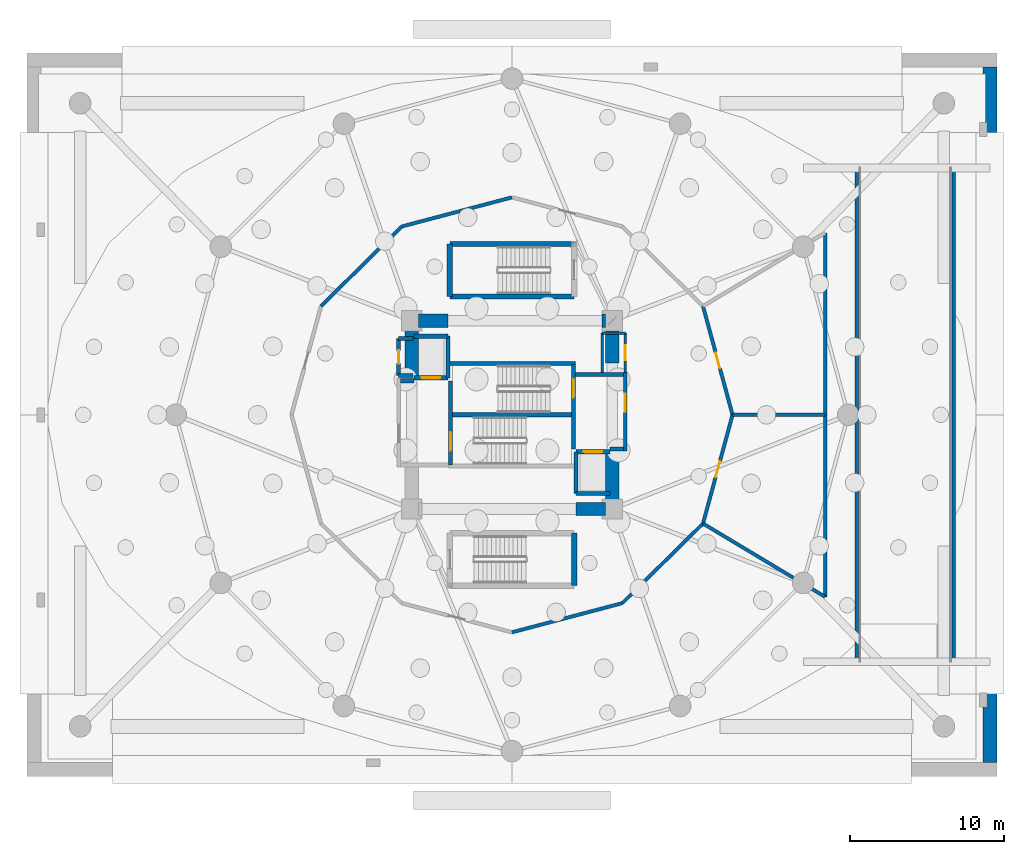
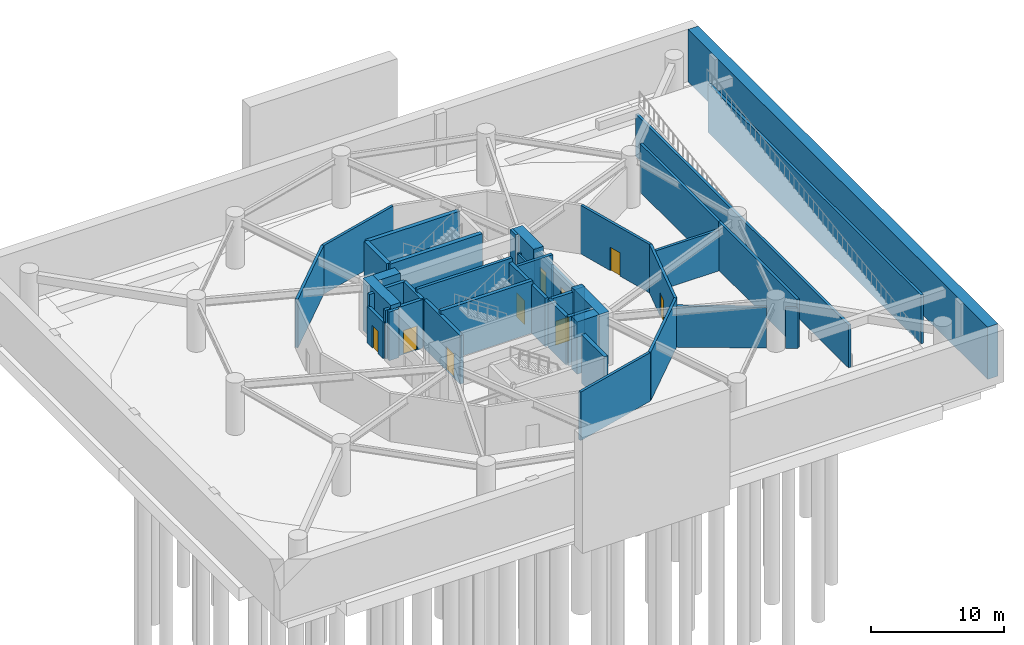
# One storey, part 8 of 12: 44 walls, 9 doors, 9 openings.
"""IFC4 building model written with IfcOpenShell, lengths in metres."""

from ifc_helpers import new_model, si_unit, direction, frame, frame_2d, origin, place, context, subcontext, project, spatial, rectangle, extrude, material, layer, layer_set, type_object, element, fill, save


model = new_model("IFC4")

# Units and contexts
model_context = context("Model", 3, precision=1e-05, world=origin(), true_north=direction((0.0, 1.0)))
body_context = subcontext(model_context, "Body", "Model", "MODEL_VIEW")
ifc_project = project(units=[si_unit("LENGTHUNIT", "METRE"), si_unit("AREAUNIT", "SQUARE_METRE"), si_unit("VOLUMEUNIT", "CUBIC_METRE"), si_unit("PLANEANGLEUNIT", "RADIAN"), si_unit("MASSUNIT", "GRAM", prefix="KILO")], contexts=[model_context])

# Site, building, storey
site_placement = place(None, origin())
site = spatial("IfcSite", under=ifc_project, at=site_placement, CompositionType="ELEMENT")
building_placement = place(site_placement, origin())
building = spatial("IfcBuilding", under=site, at=building_placement, Name="Solvirekh Grand Hotel", CompositionType="ELEMENT")
storey_placement = place(building_placement, frame((0.0, 0.0, -9.60009765625)))
storey = spatial("IfcBuildingStorey", under=building, at=storey_placement, Name="B02", CompositionType="ELEMENT", Elevation=-9.60009765625)

# Walls
ifc_material_1 = material(Name="Concrete C50/60", Category="concrete")
ifc_layer_1 = layer(ifc_material_1, 0.35009765625)
ifc_layer_set_1 = layer_set([ifc_layer_1], Name="Concrete C50/60")
wall_type_1 = type_object("IfcWallType", Name="CoreDivWall_RC350", PredefinedType="SOLIDWALL", material=ifc_layer_set_1)
wall_1_placement = place(storey_placement, frame((-4.1298828125, 3.324951171875, 0.0), z_axis=(0.0, 0.0, 1.0), x_axis=(1.0, 0.0, 0.0)))
element("IfcWall", 1, at=wall_1_placement, inside=storey, type_object=wall_type_1, Name="B02 core stair box wall ST-N", PredefinedType="SOLIDWALL", context=body_context, shape_type="SweptSolid", body=[
    extrude(rectangle(XDim=8.259765625, YDim=0.25, at=frame_2d((4.1298828125, 0.0))), origin(), (0.0, 0.0, 1.0), 4.800048828125),
])
wall_2_placement = place(storey_placement, frame((4.02490234375, -11.074951171875, 0.0), z_axis=(0.0, 0.0, 1.0), x_axis=(0.0, 1.0, 0.0)))
element("IfcWall", 2, at=wall_2_placement, inside=storey, type_object=wall_type_1, Name="B02 podium stair ST-3 E enclosure wall", PredefinedType="SOLIDWALL", context=body_context, shape_type="SweptSolid", body=[
    extrude(rectangle(XDim=3.39990234375, YDim=0.35009765625, at=frame_2d((1.699951171875, 0.0))), origin(), (0.0, 0.0, 1.0), 4.460205078125),
])
wall_3_placement = place(storey_placement, frame((4.02490234375, 11.074951171875, 0.0), z_axis=(0.0, 0.0, 1.0), x_axis=(-1.0, 0.0, 0.0)))
element("IfcWall", 3, at=wall_3_placement, inside=storey, type_object=wall_type_1, Name="B02 feature stair ST-4 N enclosure wall", PredefinedType="SOLIDWALL", context=body_context, shape_type="SweptSolid", body=[
    extrude(rectangle(XDim=8.0498046875, YDim=0.35009765625, at=frame_2d((4.02490234375, 0.0))), origin(), (0.0, 0.0, 1.0), 4.460205078125),
])
wall_4_placement = place(storey_placement, frame((-4.02490234375, 11.074951171875, 0.0), z_axis=(0.0, 0.0, 1.0), x_axis=(0.0, -1.0, 0.0)))
element("IfcWall", 4, at=wall_4_placement, inside=storey, type_object=wall_type_1, Name="B02 feature stair ST-4 W enclosure wall", PredefinedType="SOLIDWALL", context=body_context, shape_type="SweptSolid", body=[
    extrude(rectangle(XDim=3.39990234375, YDim=0.35009765625, at=frame_2d((1.699951171875, 0.0))), origin(), (0.0, 0.0, 1.0), 4.460205078125),
])
wall_5_placement = place(storey_placement, frame((-4.02490234375, 7.675048828125, 0.0), z_axis=(0.0, 0.0, 1.0), x_axis=(1.0, 0.0, 0.0)))
element("IfcWall", 5, at=wall_5_placement, inside=storey, type_object=wall_type_1, Name="B02 feature stair ST-4 S enclosure wall", PredefinedType="SOLIDWALL", context=body_context, shape_type="SweptSolid", body=[
    extrude(rectangle(XDim=8.0498046875, YDim=0.35009765625, at=frame_2d((4.02490234375, 0.0))), origin(), (0.0, 0.0, 1.0), 4.460205078125),
])

# Wall, opening, door
ifc_material_2 = material(Name="Concrete C40/50", Category="concrete")
ifc_layer_2 = layer(ifc_material_2, 0.280029296875)
ifc_layer_set_2 = layer_set([ifc_layer_2], Name="Concrete C40/50")
wall_type_2 = type_object("IfcWallType", Name="CoreShaftWall_RC280", PredefinedType="SOLIDWALL", material=ifc_layer_set_2)
wall_6_placement = place(storey_placement, frame((-6.35009765625, 2.39990234375, 0.0), z_axis=(0.0, 0.0, 1.0), x_axis=(1.0, 0.0, 0.0)))
wall_6 = element("IfcWall", 6, at=wall_6_placement, inside=storey, type_object=wall_type_2, Name="B02 FL-1 hoistway S wall", PredefinedType="SOLIDWALL", context=body_context, shape_type="SweptSolid", body=[
    extrude(rectangle(XDim=2.2001953125, YDim=0.280029296875, at=frame_2d((1.10009765625, 0.0))), origin(), (0.0, 0.0, 1.0), 4.460205078125),
])
opening_1_placement = place(wall_6_placement, frame((0.5, 0.0, 0.0)))
opening_1 = element("IfcOpeningElement", 7, at=opening_1_placement, cuts=wall_6, Name="Opening LD02", PredefinedType="OPENING", context=body_context, shape_type="SweptSolid", body=[
    extrude(rectangle(XDim=1.199951171875, YDim=2.199951171875, at=frame_2d((0.60009765625, 1.10009765625))), frame((0.0, 0.14990234375, 0.0), z_axis=(0.0, -1.0, 0.0), x_axis=(1.0, 0.0, 0.0)), (0.0, 0.0, 1.0), 0.300048828125),
])
ifc_material_3 = material(Name="Fire-Rated Steel Door Assembly", Category="steel")
door_type_1 = type_object("IfcDoorType", Name="Door_LiftFF_1200X2200", OperationType="SLIDING_TO_LEFT", PredefinedType="DOOR", material=ifc_material_3)
door_1_placement = place(opening_1_placement, origin())
door_1 = element("IfcDoor", 8, at=door_1_placement, inside=storey, type_object=door_type_1, Name="B02 FL-1 sliding lift landing door", OperationType="SLIDING_TO_LEFT", OverallHeight=2.199951171875, OverallWidth=1.199951171875, PredefinedType="DOOR", context=body_context, shape_type="SweptSolid", body=[
    extrude(rectangle(XDim=1.199951171875, YDim=2.199951171875, at=frame_2d((0.60009765625, 1.10009765625))), frame((0.0, 0.02490234375, 0.0), z_axis=(0.0, -1.0, 0.0), x_axis=(1.0, 0.0, 0.0)), (0.0, 0.0, 1.0), 0.050048828125),
])
fill(opening_1, door_1)

# Walls
wall_7_placement = place(storey_placement, frame((-4.14990234375, 5.10009765625, 0.0), z_axis=(0.0, 0.0, 1.0), x_axis=(-1.0, 0.0, 0.0)))
element("IfcWall", 9, at=wall_7_placement, inside=storey, type_object=wall_type_2, Name="B02 FL-1 hoistway N wall", PredefinedType="SOLIDWALL", context=body_context, shape_type="SweptSolid", body=[
    extrude(rectangle(XDim=2.2001953125, YDim=0.280029296875, at=frame_2d((1.10009765625, 0.0))), origin(), (0.0, 0.0, 1.0), 4.460205078125),
])
wall_8_placement = place(storey_placement, frame((-4.14990234375, 2.39990234375, 0.0), z_axis=(0.0, 0.0, 1.0), x_axis=(0.0, 1.0, 0.0)))
element("IfcWall", 10, at=wall_8_placement, inside=storey, type_object=wall_type_2, Name="B02 FL-1 hoistway E wall", PredefinedType="SOLIDWALL", context=body_context, shape_type="SweptSolid", body=[
    extrude(rectangle(XDim=2.7001953125, YDim=0.280029296875, at=frame_2d((1.35009765625, 0.0))), origin(), (0.0, 0.0, 1.0), 4.460205078125),
])
wall_9_placement = place(storey_placement, frame((4.14990234375, -5.10009765625, 0.0), z_axis=(0.0, 0.0, 1.0), x_axis=(1.0, 0.0, 0.0)))
element("IfcWall", 11, at=wall_9_placement, inside=storey, type_object=wall_type_2, Name="B02 FL-2 hoistway S wall", PredefinedType="SOLIDWALL", context=body_context, shape_type="SweptSolid", body=[
    extrude(rectangle(XDim=2.2001953125, YDim=0.280029296875, at=frame_2d((1.10009765625, 0.0))), origin(), (0.0, 0.0, 1.0), 4.460205078125),
])

# Wall, opening, door
wall_10_placement = place(storey_placement, frame((6.35009765625, -2.39990234375, 0.0), z_axis=(0.0, 0.0, 1.0), x_axis=(-1.0, 0.0, 0.0)))
wall_10 = element("IfcWall", 12, at=wall_10_placement, inside=storey, type_object=wall_type_2, Name="B02 FL-2 hoistway N wall", PredefinedType="SOLIDWALL", context=body_context, shape_type="SweptSolid", body=[
    extrude(rectangle(XDim=2.2001953125, YDim=0.280029296875, at=frame_2d((1.10009765625, 0.0))), origin(), (0.0, 0.0, 1.0), 4.460205078125),
])
opening_2_placement = place(wall_10_placement, frame((0.5, 0.0, 0.0)))
opening_2 = element("IfcOpeningElement", 13, at=opening_2_placement, cuts=wall_10, Name="Opening LD02", PredefinedType="OPENING", context=body_context, shape_type="SweptSolid", body=[
    extrude(rectangle(XDim=1.199951171875, YDim=2.199951171875, at=frame_2d((0.60009765625, 1.10009765625))), frame((0.0, 0.14990234375, 0.0), z_axis=(0.0, -1.0, 0.0), x_axis=(1.0, 0.0, 0.0)), (0.0, 0.0, 1.0), 0.300048828125),
])
door_2_placement = place(opening_2_placement, origin())
door_2 = element("IfcDoor", 14, at=door_2_placement, inside=storey, type_object=door_type_1, Name="B02 FL-2 sliding lift landing door", OperationType="SLIDING_TO_LEFT", OverallHeight=2.199951171875, OverallWidth=1.199951171875, PredefinedType="DOOR", context=body_context, shape_type="SweptSolid", body=[
    extrude(rectangle(XDim=1.199951171875, YDim=2.199951171875, at=frame_2d((0.60009765625, 1.10009765625))), frame((0.0, 0.02490234375, 0.0), z_axis=(0.0, -1.0, 0.0), x_axis=(1.0, 0.0, 0.0)), (0.0, 0.0, 1.0), 0.050048828125),
])
fill(opening_2, door_2)

# Wall
wall_11_placement = place(storey_placement, frame((4.14990234375, -2.39990234375, 0.0), z_axis=(0.0, 0.0, 1.0), x_axis=(0.0, -1.0, 0.0)))
element("IfcWall", 15, at=wall_11_placement, inside=storey, type_object=wall_type_2, Name="B02 FL-2 hoistway W wall", PredefinedType="SOLIDWALL", context=body_context, shape_type="SweptSolid", body=[
    extrude(rectangle(XDim=2.7001953125, YDim=0.280029296875, at=frame_2d((1.35009765625, 0.0))), origin(), (0.0, 0.0, 1.0), 4.460205078125),
])

# Wall, opening, door
wall_12_placement = place(storey_placement, frame((-3.989990234375, -3.25, 0.0), z_axis=(0.0, 0.0, 1.0), x_axis=(0.0, 1.0, 0.0)))
wall_12 = element("IfcWall", 16, at=wall_12_placement, inside=storey, type_object=wall_type_2, Name="B02 west stair landing enclosure wall", PredefinedType="SOLIDWALL", context=body_context, shape_type="SweptSolid", body=[
    extrude(rectangle(XDim=5.4599609375, YDim=0.280029296875, at=frame_2d((2.72998046875, 0.0))), origin(), (0.0, 0.0, 1.0), 4.460205078125),
])
opening_3_placement = place(wall_12_placement, frame((0.93701171875, 0.0, 0.0)))
opening_3 = element("IfcOpeningElement", 17, at=opening_3_placement, cuts=wall_12, Name="Opening D05", PredefinedType="OPENING", context=body_context, shape_type="SweptSolid", body=[
    extrude(rectangle(XDim=1.199951171875, YDim=2.199951171875, at=frame_2d((0.60009765625, 1.10009765625))), frame((0.0, 0.14990234375, 0.0), z_axis=(0.0, -1.0, 0.0), x_axis=(1.0, 0.0, 0.0)), (0.0, 0.0, 1.0), 0.300048828125),
])
door_type_2 = type_object("IfcDoorType", Name="Door_StairCore_1200X2200", OperationType="NOTDEFINED", PredefinedType="DOOR", material=ifc_material_3)
door_3_placement = place(opening_3_placement, origin())
door_3 = element("IfcDoor", 18, at=door_3_placement, inside=storey, type_object=door_type_2, Name="B02 exit stair ST-1 fire door", OperationType="SINGLE_SWING_LEFT", OverallHeight=2.199951171875, OverallWidth=1.199951171875, PredefinedType="DOOR", context=body_context, shape_type="SweptSolid", body=[
    extrude(rectangle(XDim=1.199951171875, YDim=2.199951171875, at=frame_2d((0.60009765625, 1.10009765625))), frame((0.0, 0.02490234375, 0.0), z_axis=(0.0, -1.0, 0.0), x_axis=(1.0, 0.0, 0.0)), (0.0, 0.0, 1.0), 0.050048828125),
])
fill(opening_3, door_3)

wall_13_placement = place(storey_placement, frame((3.989990234375, -2.2099609375, 0.0), z_axis=(0.0, 0.0, 1.0), x_axis=(0.0, 1.0, 0.0)))
wall_13 = element("IfcWall", 19, at=wall_13_placement, inside=storey, type_object=wall_type_2, Name="B02 east stair landing enclosure wall", PredefinedType="SOLIDWALL", context=body_context, shape_type="SweptSolid", body=[
    extrude(rectangle(XDim=5.4599609375, YDim=0.280029296875, at=frame_2d((2.72998046875, 0.0))), origin(), (0.0, 0.0, 1.0), 4.460205078125),
])
opening_4_placement = place(wall_13_placement, frame((3.322998046875, 0.0, 0.0)))
opening_4 = element("IfcOpeningElement", 20, at=opening_4_placement, cuts=wall_13, Name="Opening D05", PredefinedType="OPENING", context=body_context, shape_type="SweptSolid", body=[
    extrude(rectangle(XDim=1.199951171875, YDim=2.199951171875, at=frame_2d((0.60009765625, 1.10009765625))), frame((0.0, 0.14990234375, 0.0), z_axis=(0.0, -1.0, 0.0), x_axis=(1.0, 0.0, 0.0)), (0.0, 0.0, 1.0), 0.300048828125),
])
door_4_placement = place(opening_4_placement, origin())
door_4 = element("IfcDoor", 21, at=door_4_placement, inside=storey, type_object=door_type_2, Name="B02 exit stair ST-2 fire door", OperationType="SINGLE_SWING_RIGHT", OverallHeight=2.199951171875, OverallWidth=1.199951171875, PredefinedType="DOOR", context=body_context, shape_type="SweptSolid", body=[
    extrude(rectangle(XDim=1.199951171875, YDim=2.199951171875, at=frame_2d((0.60009765625, 1.10009765625))), frame((0.0, 0.02490234375, 0.0), z_axis=(0.0, -1.0, 0.0), x_axis=(1.0, 0.0, 0.0)), (0.0, 0.0, 1.0), 0.050048828125),
])
fill(opening_4, door_4)

# Walls
ifc_material_4 = material(Name="Concrete C60/75", Category="concrete")
ifc_layer_3 = layer(ifc_material_4, 0.85009765625)
ifc_layer_set_3 = layer_set([ifc_layer_3], Name="Concrete C60/75")
wall_type_3 = type_object("IfcWallType", Name="CoreWall_RC850", PredefinedType="SHEAR", material=ifc_layer_set_3)
wall_14_placement = place(storey_placement, frame((-3.989990234375, 0.0, 0.0), z_axis=(0.0, 0.0, 1.0), x_axis=(1.0, 0.0, 0.0)))
element("IfcWall", 22, at=wall_14_placement, inside=storey, type_object=wall_type_3, Name="B02 central stair-spine shear wall", PredefinedType="SHEAR", context=body_context, shape_type="SweptSolid", body=[
    extrude(rectangle(XDim=7.97998046875, YDim=0.300048828125, at=frame_2d((3.989990234375, 0.0))), origin(), (0.0, 0.0, 1.0), 4.800048828125),
])
for number, where, z_axis, x_axis, name in (
    (23, (4.14990234375, -6.10009765625, 0.0), (0.0, 0.0, 1.0), (1.0, 0.0, 0.0), "B02 core corner shear wall SE-S"),
    (24, (-6.074951171875, 6.10009765625, 0.0), (0.0, 0.0, 1.0), (1.0, 0.0, 0.0), "B02 core corner shear wall NW-N"),
):
    element("IfcWall", number, at=place(storey_placement, frame(where, z_axis=z_axis, x_axis=x_axis)), inside=storey, type_object=wall_type_3, Name=name, PredefinedType="SHEAR", context=body_context, shape_type="SweptSolid", body=[
        extrude(rectangle(XDim=1.925048828125, YDim=0.85009765625, at=frame_2d((0.96240234375, 0.0))), origin(), (0.0, 0.0, 1.0), 4.800048828125),
    ])
wall_15_placement = place(storey_placement, frame((5.85009765625, 6.10009765625, 0.0), z_axis=(0.0, 0.0, 1.0), x_axis=(1.0, 0.0, 0.0)))
element("IfcWall", 25, at=wall_15_placement, inside=storey, type_object=wall_type_3, Name="B02 core corner shear wall NE-N", PredefinedType="SHEAR", context=body_context, shape_type="SweptSolid", body=[
    extrude(rectangle(XDim=0.224853515625, YDim=0.85009765625, at=frame_2d((0.1123046875, 0.0))), origin(), (0.0, 0.0, 1.0), 4.800048828125),
])
for number, where, z_axis, x_axis, name in (
    (26, (-6.5, 2.35009765625, 0.0), (0.0, 0.0, 1.0), (0.0, 1.0, 0.0), "B02 core corner shear wall WN-W"),
    (27, (6.5, -6.52490234375, 0.0), (0.0, 0.0, 1.0), (0.0, 1.0, 0.0), "B02 core corner shear wall ES-E"),
):
    element("IfcWall", number, at=place(storey_placement, frame(where, z_axis=z_axis, x_axis=x_axis)), inside=storey, type_object=wall_type_3, Name=name, PredefinedType="SHEAR", context=body_context, shape_type="SweptSolid", body=[
        extrude(rectangle(XDim=4.1748046875, YDim=0.85009765625, at=frame_2d((2.08740234375, 0.0))), origin(), (0.0, 0.0, 1.0), 4.800048828125),
    ])
wall_16_placement = place(storey_placement, frame((6.5, 3.35009765625, 0.0), z_axis=(0.0, 0.0, 1.0), x_axis=(0.0, 1.0, 0.0)))
element("IfcWall", 28, at=wall_16_placement, inside=storey, type_object=wall_type_3, Name="B02 core corner shear wall EN-E", PredefinedType="SHEAR", context=body_context, shape_type="SweptSolid", body=[
    extrude(rectangle(XDim=3.1748046875, YDim=0.85009765625, at=frame_2d((1.58740234375, 0.0))), origin(), (0.0, 0.0, 1.0), 4.800048828125),
])

# Wall, opening, door
ifc_material_5 = material(Name="Acoustic Gypsum Partition Assembly")
ifc_layer_4 = layer(ifc_material_5, 0.1650390625)
ifc_layer_set_4 = layer_set([ifc_layer_4], Name="Acoustic Gypsum Partition Assembly")
wall_type_4 = type_object("IfcWallType", Name="Part_BOH_165", PredefinedType="PARTITIONING", material=ifc_layer_set_4)
wall_17_placement = place(storey_placement, frame((7.35009765625, 2.75, 0.0), z_axis=(0.0, 0.0, 1.0), x_axis=(0.0, 1.0, 0.0)))
wall_17 = element("IfcWall", 29, at=wall_17_placement, inside=storey, type_object=wall_type_4, Name="B02 B02 Core Housekeeping & Linen Room wall 2", PredefinedType="PARTITIONING", context=body_context, shape_type="SweptSolid", body=[
    extrude(rectangle(XDim=2.550048828125, YDim=0.1650390625, at=frame_2d((1.27490234375, 0.0))), origin(), (0.0, 0.0, 1.0), 3.34521484375),
])
opening_5_placement = place(wall_17_placement, frame((0.800048828125, 0.0, 0.0)))
opening_5 = element("IfcOpeningElement", 30, at=opening_5_placement, cuts=wall_17, Name="Opening D10", PredefinedType="OPENING", context=body_context, shape_type="SweptSolid", body=[
    extrude(rectangle(XDim=0.949951171875, YDim=2.10009765625, at=frame_2d((0.47509765625, 1.050048828125))), frame((0.0, 0.092529296875, 0.0), z_axis=(0.0, -1.0, 0.0), x_axis=(1.0, 0.0, 0.0)), (0.0, 0.0, 1.0), 0.18505859375),
])
ifc_material_6 = material(Name="Anodized Bronze Aluminium 6063-T6", Category="aluminium")
door_type_3 = type_object("IfcDoorType", Name="Door_RoomInt_950X2100", OperationType="NOTDEFINED", PredefinedType="DOOR", material=ifc_material_6)
door_5_placement = place(opening_5_placement, origin())
door_5 = element("IfcDoor", 31, at=door_5_placement, inside=storey, type_object=door_type_3, Name="B02 B02 Core Housekeeping & Linen Room door", OperationType="SINGLE_SWING_RIGHT", OverallHeight=2.10009765625, OverallWidth=0.949951171875, PredefinedType="DOOR", context=body_context, shape_type="SweptSolid", body=[
    extrude(rectangle(XDim=0.949951171875, YDim=2.10009765625, at=frame_2d((0.47509765625, 1.050048828125))), frame((0.0, 0.02490234375, 0.0), z_axis=(0.0, -1.0, 0.0), x_axis=(1.0, 0.0, 0.0)), (0.0, 0.0, 1.0), 0.050048828125),
])
fill(opening_5, door_5)

# Walls
wall_18_placement = place(storey_placement, frame((7.35009765625, 5.300048828125, 0.0), z_axis=(0.0, 0.0, 1.0), x_axis=(-1.0, 0.0, 0.0)))
element("IfcWall", 32, at=wall_18_placement, inside=storey, type_object=wall_type_4, Name="B02 B02 Core Housekeeping & Linen Room wall 3", PredefinedType="PARTITIONING", context=body_context, shape_type="SweptSolid", body=[
    extrude(rectangle(XDim=1.5, YDim=0.1650390625, at=frame_2d((0.75, 0.0))), origin(), (0.0, 0.0, 1.0), 3.34521484375),
])
wall_19_placement = place(storey_placement, frame((5.85009765625, 5.300048828125, 0.0), z_axis=(0.0, 0.0, 1.0), x_axis=(0.0, -1.0, 0.0)))
element("IfcWall", 33, at=wall_19_placement, inside=storey, type_object=wall_type_4, Name="B02 B02 Core Housekeeping & Linen Room wall 4", PredefinedType="PARTITIONING", context=body_context, shape_type="SweptSolid", body=[
    extrude(rectangle(XDim=2.550048828125, YDim=0.1650390625, at=frame_2d((1.27490234375, 0.0))), origin(), (0.0, 0.0, 1.0), 3.34521484375),
])

# Wall, opening, door
ifc_layer_5 = layer(ifc_material_5, 0.239990234375)
ifc_layer_set_5 = layer_set([ifc_layer_5], Name="Acoustic Gypsum Partition Assembly")
wall_type_5 = type_object("IfcWallType", Name="Part_Corridor_240", PredefinedType="PARTITIONING", material=ifc_layer_set_5)
wall_20_placement = place(storey_placement, frame((7.35009765625, -2.340087890625, 0.0), z_axis=(0.0, 0.0, 1.0), x_axis=(0.0, 1.0, 0.0)))
wall_20 = element("IfcWall", 34, at=wall_20_placement, inside=storey, type_object=wall_type_5, Name="B02 east firefighting lobby smoke screen wall", PredefinedType="PARTITIONING", context=body_context, shape_type="SweptSolid", body=[
    extrude(rectangle(XDim=5.070068359375, YDim=0.239990234375, at=frame_2d((2.53515625, 0.0))), origin(), (0.0, 0.0, 1.0), 3.34521484375),
])
opening_6_placement = place(wall_20_placement, frame((2.548095703125, 0.0, 0.0)))
opening_6 = element("IfcOpeningElement", 35, at=opening_6_placement, cuts=wall_20, Name="Opening D06", PredefinedType="OPENING", context=body_context, shape_type="SweptSolid", body=[
    extrude(rectangle(XDim=1.14990234375, YDim=2.199951171875, at=frame_2d((0.574951171875, 1.10009765625))), frame((0.0, 0.1298828125, 0.0), z_axis=(0.0, -1.0, 0.0), x_axis=(1.0, 0.0, 0.0)), (0.0, 0.0, 1.0), 0.260009765625),
])
door_type_4 = type_object("IfcDoorType", Name="Door_FFLobby_1150X2200", OperationType="NOTDEFINED", PredefinedType="DOOR", material=ifc_material_3)
door_6_placement = place(opening_6_placement, origin())
door_6 = element("IfcDoor", 36, at=door_6_placement, inside=storey, type_object=door_type_4, Name="B02 east firefighting lobby smoke door", OperationType="SINGLE_SWING_RIGHT", OverallHeight=2.199951171875, OverallWidth=1.14990234375, PredefinedType="DOOR", context=body_context, shape_type="SweptSolid", body=[
    extrude(rectangle(XDim=1.14990234375, YDim=2.199951171875, at=frame_2d((0.574951171875, 1.10009765625))), frame((0.0, 0.02490234375, 0.0), z_axis=(0.0, -1.0, 0.0), x_axis=(1.0, 0.0, 0.0)), (0.0, 0.0, 1.0), 0.050048828125),
])
fill(opening_6, door_6)

# Walls
ifc_layer_6 = layer(ifc_material_5, 0.260009765625)
ifc_layer_set_6 = layer_set([ifc_layer_6], Name="Acoustic Gypsum Partition Assembly")
wall_type_6 = type_object("IfcWallType", Name="Part_LobbyFF_260", PredefinedType="PARTITIONING", material=ifc_layer_set_6)
for number, where, z_axis, x_axis, name in (
    (37, (-7.22509765625, 2.2099609375, 0.0), (0.0, 0.0, 1.0), (1.0, 0.0, 0.0), "B02 west firefighting lobby NW cheek"),
    (38, (6.35009765625, -2.2099609375, 0.0), (0.0, 0.0, 1.0), (1.0, 0.0, 0.0), "B02 east firefighting lobby SE cheek"),
):
    element("IfcWall", number, at=place(storey_placement, frame(where, z_axis=z_axis, x_axis=x_axis)), inside=storey, type_object=wall_type_6, Name=name, PredefinedType="PARTITIONING", context=body_context, shape_type="SweptSolid", body=[
        extrude(rectangle(XDim=0.875, YDim=0.260009765625, at=frame_2d((0.4375, 0.0))), origin(), (0.0, 0.0, 1.0), 4.460205078125),
    ])
wall_21_placement = place(storey_placement, frame((4.1298828125, 2.60009765625, 0.0), z_axis=(0.0, 0.0, 1.0), x_axis=(1.0, 0.0, 0.0)))
element("IfcWall", 39, at=wall_21_placement, inside=storey, type_object=wall_type_6, Name="B02 east firefighting lobby north partition", PredefinedType="PARTITIONING", context=body_context, shape_type="SweptSolid", body=[
    extrude(rectangle(XDim=3.09521484375, YDim=0.260009765625, at=frame_2d((1.547607421875, 0.0))), origin(), (0.0, 0.0, 1.0), 4.460205078125),
])
for number, where, z_axis, x_axis, name in (
    (40, (-7.35009765625, 4.949951171875, 0.0), (0.0, 0.0, 1.0), (1.0, 0.0, 0.0), "B02 NW telecom metering cupboard north wall"),
    (41, (-7.35009765625, 2.550048828125, 0.0), (0.0, 0.0, 1.0), (1.0, 0.0, 0.0), "B02 NW telecom metering cupboard south wall"),
):
    element("IfcWall", number, at=place(storey_placement, frame(where, z_axis=z_axis, x_axis=x_axis)), inside=storey, type_object=wall_type_6, Name=name, PredefinedType="PARTITIONING", context=body_context, shape_type="SweptSolid", body=[
        extrude(rectangle(XDim=0.93017578125, YDim=0.260009765625, at=frame_2d((0.465087890625, 0.0))), origin(), (0.0, 0.0, 1.0), 4.460205078125),
    ])

# Wall, opening, door
wall_22_placement = place(storey_placement, frame((-7.35009765625, 2.550048828125, 0.0), z_axis=(0.0, 0.0, 1.0), x_axis=(0.0, 1.0, 0.0)))
wall_22 = element("IfcWall", 42, at=wall_22_placement, inside=storey, type_object=wall_type_6, Name="B02 NW telecom metering cupboard access wall", PredefinedType="PARTITIONING", context=body_context, shape_type="SweptSolid", body=[
    extrude(rectangle(XDim=2.39990234375, YDim=0.260009765625, at=frame_2d((1.199951171875, 0.0))), origin(), (0.0, 0.0, 1.0), 3.34521484375),
])
opening_7_placement = place(wall_22_placement, frame((0.77490234375, 0.0, 0.0)))
opening_7 = element("IfcOpeningElement", 43, at=opening_7_placement, cuts=wall_22, Name="Opening D13", PredefinedType="OPENING", context=body_context, shape_type="SweptSolid", body=[
    extrude(rectangle(XDim=0.85009765625, YDim=2.050048828125, at=frame_2d((0.425048828125, 1.02490234375))), frame((0.0, 0.14013671875, 0.0), z_axis=(0.0, -1.0, 0.0), x_axis=(1.0, 0.0, 0.0)), (0.0, 0.0, 1.0), 0.280029296875),
])
door_type_5 = type_object("IfcDoorType", Name="Door_RiserShaft_850X2050", OperationType="NOTDEFINED", PredefinedType="DOOR", material=ifc_material_3)
door_7_placement = place(opening_7_placement, origin())
door_7 = element("IfcDoor", 44, at=door_7_placement, inside=storey, type_object=door_type_5, Name="B02 telecom metering cupboard access door", OperationType="SINGLE_SWING_LEFT", OverallHeight=2.050048828125, OverallWidth=0.85009765625, PredefinedType="DOOR", context=body_context, shape_type="SweptSolid", body=[
    extrude(rectangle(XDim=0.85009765625, YDim=2.050048828125, at=frame_2d((0.425048828125, 1.02490234375))), frame((0.0, 0.02490234375, 0.0), z_axis=(0.0, -1.0, 0.0), x_axis=(1.0, 0.0, 0.0)), (0.0, 0.0, 1.0), 0.050048828125),
])
fill(opening_7, door_7)

# Walls
ifc_material_7 = material(Name="Precast concrete C45/55", Category="concrete")
ifc_layer_7 = layer(ifc_material_7, 0.22509765625)
ifc_layer_set_7 = layer_set([ifc_layer_7], Name="Precast concrete C45/55")
wall_type_7 = type_object("IfcWallType", Name="Part_Plant_225", PredefinedType="PARTITIONING", material=ifc_layer_set_7)
wall_23_placement = place(storey_placement, frame((22.35009765625, -16.0, 0.0), z_axis=(0.0, 0.0, 1.0), x_axis=(0.0, 1.0, 0.0)))
element("IfcWall", 45, at=wall_23_placement, inside=storey, type_object=wall_type_7, Name="B02 vehicle ramp west fire wall", PredefinedType="PARTITIONING", context=body_context, shape_type="SweptSolid", body=[
    extrude(rectangle(XDim=32.0, YDim=0.22509765625, at=frame_2d((16.0, 0.0))), origin(), (0.0, 0.0, 1.0), 3.9130859375),
])
wall_24_placement = place(storey_placement, frame((28.64990234375, -16.0, 0.0), z_axis=(0.0, 0.0, 1.0), x_axis=(0.0, 1.0, 0.0)))
element("IfcWall", 46, at=wall_24_placement, inside=storey, type_object=wall_type_7, Name="B02 vehicle ramp east fire wall", PredefinedType="PARTITIONING", context=body_context, shape_type="SweptSolid", body=[
    extrude(rectangle(XDim=32.0, YDim=0.22509765625, at=frame_2d((16.0, 0.0))), origin(), (0.0, 0.0, 1.0), 4.460205078125),
])
wall_25_placement = place(storey_placement, frame((0.0, 14.10009765625, 0.0), z_axis=(0.0, 0.0, 1.0), x_axis=(-0.966820901533, -0.255455170937, 0.0)))
element("IfcWall", 47, at=wall_25_placement, inside=storey, type_object=wall_type_7, Name="B02 B02 North Car Park & Accessible Bays corridor fire wall 2", PredefinedType="PARTITIONING", context=body_context, shape_type="SweptSolid", body=[
    extrude(rectangle(XDim=7.395263671875, YDim=0.22509765625, at=frame_2d((3.69775390625, 0.0))), origin(), (0.0, 0.0, 1.0), 4.460205078125),
])
wall_26_placement = place(storey_placement, frame((-7.14990234375, 12.2109375, 0.0), z_axis=(0.0, 0.0, 1.0), x_axis=(-0.712071304345, -0.702107155303, 0.0)))
element("IfcWall", 48, at=wall_26_placement, inside=storey, type_object=wall_type_7, Name="B02 B02 North Car Park & Accessible Bays corridor fire wall 3", PredefinedType="PARTITIONING", context=body_context, shape_type="SweptSolid", body=[
    extrude(rectangle(XDim=7.3505859375, YDim=0.22509765625, at=frame_2d((3.67529296875, 0.0))), origin(), (0.0, 0.0, 1.0), 4.460205078125),
])
wall_27_placement = place(storey_placement, frame((0.0, -14.10009765625, 0.0), z_axis=(0.0, 0.0, 1.0), x_axis=(0.966820901533, 0.255455170937, 0.0)))
element("IfcWall", 49, at=wall_27_placement, inside=storey, type_object=wall_type_7, Name="B02 B02 South Car Park & Charging Bays corridor fire wall 2", PredefinedType="PARTITIONING", context=body_context, shape_type="SweptSolid", body=[
    extrude(rectangle(XDim=7.395263671875, YDim=0.22509765625, at=frame_2d((3.69775390625, 0.0))), origin(), (0.0, 0.0, 1.0), 4.460205078125),
])
wall_28_placement = place(storey_placement, frame((7.14990234375, -12.2109375, 0.0), z_axis=(0.0, 0.0, 1.0), x_axis=(0.712071304345, 0.702107155303, 0.0)))
element("IfcWall", 50, at=wall_28_placement, inside=storey, type_object=wall_type_7, Name="B02 B02 South Car Park & Charging Bays corridor fire wall 3", PredefinedType="PARTITIONING", context=body_context, shape_type="SweptSolid", body=[
    extrude(rectangle(XDim=7.3505859375, YDim=0.22509765625, at=frame_2d((3.67529296875, 0.0))), origin(), (0.0, 0.0, 1.0), 4.460205078125),
])

# Wall, opening, door
wall_29_placement = place(storey_placement, frame((12.384033203125, -7.050048828125, 0.0), z_axis=(0.0, 0.0, 1.0), x_axis=(0.262260528785, 0.964997106235, 0.0)))
wall_29 = element("IfcWall", 51, at=wall_29_placement, inside=storey, type_object=wall_type_7, Name="B02 Central Chiller & Pump Plant Room entry wall", PredefinedType="PARTITIONING", context=body_context, shape_type="SweptSolid", body=[
    extrude(rectangle(XDim=7.3056640625, YDim=0.22509765625, at=frame_2d((3.65283203125, 0.0))), origin(), (0.0, 0.0, 1.0), 4.460205078125),
])
opening_8_placement = place(wall_29_placement, frame((3.1279296875, 0.0, 0.0)))
opening_8 = element("IfcOpeningElement", 52, at=opening_8_placement, cuts=wall_29, Name="Opening D12", PredefinedType="OPENING", context=body_context, shape_type="SweptSolid", body=[
    extrude(rectangle(XDim=1.050048828125, YDim=2.14990234375, at=frame_2d((0.52490234375, 1.074951171875))), frame((0.0, 0.12255859375, 0.0), z_axis=(0.0, -1.0, 0.0), x_axis=(1.0, 0.0, 0.0)), (0.0, 0.0, 1.0), 0.2451171875),
])
door_type_6 = type_object("IfcDoorType", Name="Door_PlantBOH_1050X2150", OperationType="NOTDEFINED", PredefinedType="DOOR", material=ifc_material_3)
door_8_placement = place(opening_8_placement, origin())
door_8 = element("IfcDoor", 53, at=door_8_placement, inside=storey, type_object=door_type_6, Name="B02 Central Chiller & Pump Plant Room door", OperationType="SINGLE_SWING_RIGHT", OverallHeight=2.14990234375, OverallWidth=1.050048828125, PredefinedType="DOOR", context=body_context, shape_type="SweptSolid", body=[
    extrude(rectangle(XDim=1.050048828125, YDim=2.14990234375, at=frame_2d((0.52490234375, 1.074951171875))), frame((0.0, 0.02490234375, 0.0), z_axis=(0.0, -1.0, 0.0), x_axis=(1.0, 0.0, 0.0)), (0.0, 0.0, 1.0), 0.050048828125),
])
fill(opening_8, door_8)

# Walls
wall_30_placement = place(storey_placement, frame((20.300048828125, -11.800048828125, 0.0), z_axis=(0.0, 0.0, 1.0), x_axis=(-0.857425748935, 0.51460770016, 0.0)))
element("IfcWall", 54, at=wall_30_placement, inside=storey, type_object=wall_type_7, Name="B02 Central Chiller & Pump Plant Room enclosure wall 1 (A)", PredefinedType="PARTITIONING", context=body_context, shape_type="SweptSolid", body=[
    extrude(rectangle(XDim=0.962158203125, YDim=0.22509765625, at=frame_2d((0.48095703125, 0.0))), origin(), (0.0, 0.0, 1.0), 3.695068359375),
])
wall_31_placement = place(storey_placement, frame((18.241943359375, -10.56494140625, 0.0), z_axis=(0.0, 0.0, 1.0), x_axis=(-0.857483465664, 0.514511521846, 0.0)))
element("IfcWall", 55, at=wall_31_placement, inside=storey, type_object=wall_type_7, Name="B02 Central Chiller & Pump Plant Room enclosure wall 1 (B)", PredefinedType="PARTITIONING", context=body_context, shape_type="SweptSolid", body=[
    extrude(rectangle(XDim=6.83154296875, YDim=0.22509765625, at=frame_2d((3.415771484375, 0.0))), origin(), (0.0, 0.0, 1.0), 3.75),
])
wall_32_placement = place(storey_placement, frame((20.300048828125, 0.0, 0.0), z_axis=(0.0, 0.0, 1.0), x_axis=(0.0, -1.0, 0.0)))
element("IfcWall", 56, at=wall_32_placement, inside=storey, type_object=wall_type_7, Name="B02 Central Chiller & Pump Plant Room enclosure wall 2", PredefinedType="PARTITIONING", context=body_context, shape_type="SweptSolid", body=[
    extrude(rectangle(XDim=11.800048828125, YDim=0.22509765625, at=frame_2d((5.89990234375, 0.0))), origin(), (0.0, 0.0, 1.0), 4.460205078125),
])
wall_33_placement = place(storey_placement, frame((14.300048828125, 0.0, 0.0), z_axis=(0.0, 0.0, 1.0), x_axis=(1.0, 0.0, 0.0)))
element("IfcWall", 57, at=wall_33_placement, inside=storey, type_object=wall_type_7, Name="B02 Central Chiller & Pump Plant Room enclosure wall 3", PredefinedType="PARTITIONING", context=body_context, shape_type="SweptSolid", body=[
    extrude(rectangle(XDim=6.0, YDim=0.22509765625, at=frame_2d((3.0, 0.0))), origin(), (0.0, 0.0, 1.0), 3.75),
])

# Wall, opening, door
wall_34_placement = place(storey_placement, frame((14.300048828125, 0.0, 0.0), z_axis=(0.0, 0.0, 1.0), x_axis=(-0.262260528785, 0.964997106235, 0.0)))
wall_34 = element("IfcWall", 58, at=wall_34_placement, inside=storey, type_object=wall_type_7, Name="B02 HV Substation & Emergency Generator Room entry wall", PredefinedType="PARTITIONING", context=body_context, shape_type="SweptSolid", body=[
    extrude(rectangle(XDim=7.3056640625, YDim=0.22509765625, at=frame_2d((3.65283203125, 0.0))), origin(), (0.0, 0.0, 1.0), 4.460205078125),
])
opening_9_placement = place(wall_34_placement, frame((3.1279296875, 0.0, 0.0)))
opening_9 = element("IfcOpeningElement", 59, at=opening_9_placement, cuts=wall_34, Name="Opening D12", PredefinedType="OPENING", context=body_context, shape_type="SweptSolid", body=[
    extrude(rectangle(XDim=1.050048828125, YDim=2.14990234375, at=frame_2d((0.52490234375, 1.074951171875))), frame((0.0, 0.12255859375, 0.0), z_axis=(0.0, -1.0, 0.0), x_axis=(1.0, 0.0, 0.0)), (0.0, 0.0, 1.0), 0.2451171875),
])
door_9_placement = place(opening_9_placement, origin())
door_9 = element("IfcDoor", 60, at=door_9_placement, inside=storey, type_object=door_type_6, Name="B02 HV Substation & Emergency Generator Room door", OperationType="SINGLE_SWING_LEFT", OverallHeight=2.14990234375, OverallWidth=1.050048828125, PredefinedType="DOOR", context=body_context, shape_type="SweptSolid", body=[
    extrude(rectangle(XDim=1.050048828125, YDim=2.14990234375, at=frame_2d((0.52490234375, 1.074951171875))), frame((0.0, 0.02490234375, 0.0), z_axis=(0.0, -1.0, 0.0), x_axis=(1.0, 0.0, 0.0)), (0.0, 0.0, 1.0), 0.050048828125),
])
fill(opening_9, door_9)

# Walls
wall_35_placement = place(storey_placement, frame((20.300048828125, 11.800048828125, 0.0), z_axis=(0.0, 0.0, 1.0), x_axis=(0.0, -1.0, 0.0)))
element("IfcWall", 61, at=wall_35_placement, inside=storey, type_object=wall_type_7, Name="B02 HV Substation & Emergency Generator Room enclosure wall 2", PredefinedType="PARTITIONING", context=body_context, shape_type="SweptSolid", body=[
    extrude(rectangle(XDim=11.800048828125, YDim=0.22509765625, at=frame_2d((5.89990234375, 0.0))), origin(), (0.0, 0.0, 1.0), 4.460205078125),
])
ifc_layer_8 = layer(ifc_material_1, 0.89990234375)
ifc_layer_set_8 = layer_set([ifc_layer_8], Name="Concrete C50/60")
wall_type_8 = type_object("IfcWallType", Name="RetainingWall_RC900", PredefinedType="SHEAR", material=ifc_layer_set_8)
wall_36_placement = place(storey_placement, frame((31.0, -22.550048828125, 0.0), z_axis=(0.0, 0.0, 1.0), x_axis=(0.0, 1.0, 0.0)))
element("IfcWall", 62, at=wall_36_placement, inside=storey, type_object=wall_type_8, Name="B02 E perimeter retaining wall", PredefinedType="SHEAR", context=body_context, shape_type="SweptSolid", body=[
    extrude(rectangle(XDim=45.10009765625, YDim=0.89990234375, at=frame_2d((22.550048828125, 0.0))), origin(), (0.0, 0.0, 1.0), 4.800048828125),
])

save(model, "model.ifc")
